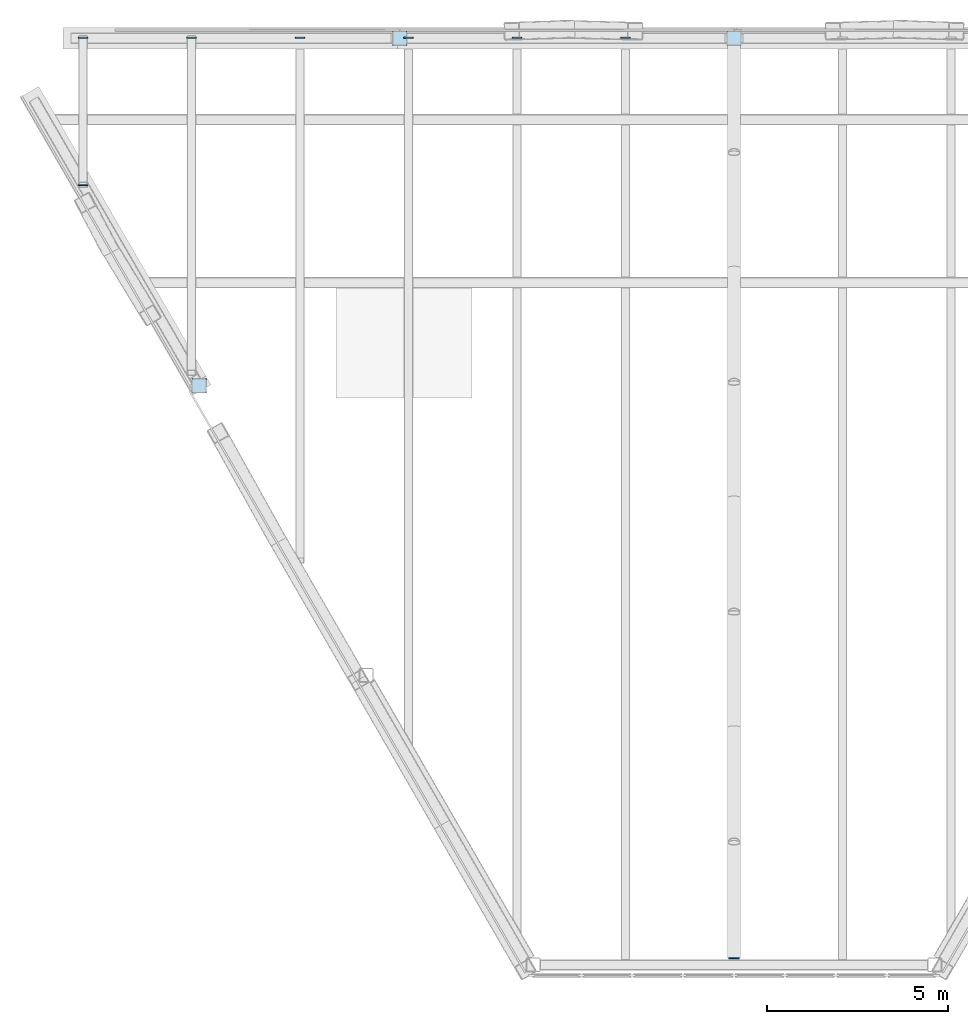
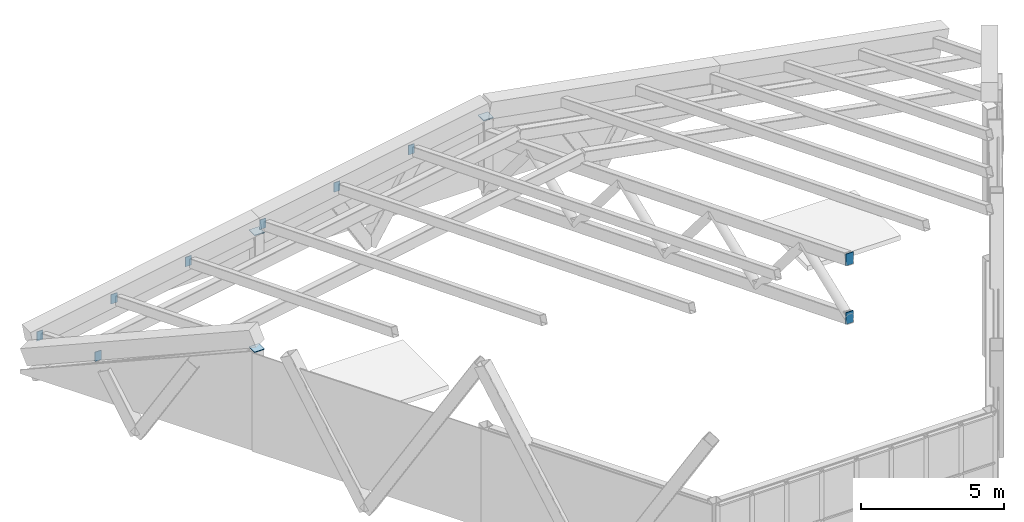
# One storey, part 4 of 6: 12 plates.
"""IFC4 building model written with IfcOpenShell, lengths in metres."""

from ifc_helpers import new_model, si_unit, direction, frame, origin, place, context, subcontext, project, spatial, polyline, outline, extrude, material, layer, layer_set, type_object, element, save


model = new_model("IFC4")

# Units and contexts
model_context = context("Model", 3, precision=1e-05, world=origin(), true_north=direction((0.0, 1.0)))
body_context = subcontext(model_context, "Body", "Model", "MODEL_VIEW")
ifc_project = project(units=[si_unit("LENGTHUNIT", "METRE"), si_unit("AREAUNIT", "SQUARE_METRE"), si_unit("VOLUMEUNIT", "CUBIC_METRE"), si_unit("PLANEANGLEUNIT", "RADIAN"), si_unit("MASSUNIT", "GRAM", prefix="KILO")], contexts=[model_context])

# Site, building, storey
site_placement = place(None, origin())
site = spatial("IfcSite", under=ifc_project, at=site_placement, CompositionType="ELEMENT")
building_placement = place(site_placement, origin())
building = spatial("IfcBuilding", under=site, at=building_placement, Name="Aloe Facet Convention Tower", CompositionType="ELEMENT")
storey_placement = place(building_placement, frame((0.0, 0.0, 293.89990234375)))
storey = spatial("IfcBuildingStorey", under=building, at=storey_placement, Name="C3", CompositionType="ELEMENT", Elevation=293.89990234375)

# Plates
ifc_material = material(Name="Steel S355", Category="steel")
ifc_layer = layer(ifc_material, 0.030029296875)
ifc_layer_set = layer_set([ifc_layer], Name="STW-CROWN END PLATE")
plate_type = type_object("IfcPlateType", Name="STW-CROWN END PLATE", PredefinedType="SHEET", material=ifc_layer_set)
plate_1_placement = place(storey_placement, frame((0.0, 0.0, 3.07958984375)))
element("IfcPlate", 1, at=plate_1_placement, inside=storey, type_object=plate_type, Name="End plate CF-EP-N3", PredefinedType="SHEET", context=body_context, shape_type="SweptSolid", body=[
    extrude(outline(polyline([(79.800048828125, 134.60009765625), (80.199951171875, 134.60009765625), (80.199951171875, 135.0), (79.800048828125, 135.0), (79.800048828125, 134.60009765625)])), origin(), (0.0, 0.0, 1.0), 0.030029296875),
])
plate_2_placement = place(storey_placement, frame((0.0, 0.0, 1.416015625)))
element("IfcPlate", 2, at=plate_2_placement, inside=storey, type_object=plate_type, Name="End plate CF-EP-N4", PredefinedType="SHEET", context=body_context, shape_type="SweptSolid", body=[
    extrude(outline(polyline([(70.556884765625, 134.60009765625), (70.95703125, 134.60009765625), (70.95703125, 135.0), (70.556884765625, 135.0), (70.556884765625, 134.60009765625)])), origin(), (0.0, 0.0, 1.0), 0.030029296875),
])
plate_3_placement = place(storey_placement, frame((0.0, 0.0, 4.2001953125)))
element("IfcPlate", 3, at=plate_3_placement, inside=storey, type_object=plate_type, Name="End plate CF-EP-WSW2", PredefinedType="SHEET", context=body_context, shape_type="SweptSolid", body=[
    extrude(outline(polyline([(65.008544921875, 124.989990234375), (65.40869140625, 124.989990234375), (65.40869140625, 125.389892578125), (65.008544921875, 125.389892578125), (65.008544921875, 124.989990234375)])), origin(), (0.0, 0.0, 1.0), 0.02978515625),
])
for number, where, z_axis, x_axis, name in (
    (4, (79.85009765625, 109.380615234375, 12.6953125), (0.0, 1.0, 0.0), (1.0, 0.0, 0.0), "End plate CF-EP-FT"),
    (5, (79.85009765625, 109.380615234375, 10.1953125), (0.0, 1.0, 0.0), (1.0, 0.0, 0.0), "End plate CF-EP-FB"),
):
    element("IfcPlate", number, at=place(storey_placement, frame(where, z_axis=z_axis, x_axis=x_axis)), inside=storey, type_object=plate_type, Name=name, PredefinedType="SHEET", context=body_context, shape_type="SweptSolid", body=[
        extrude(outline(polyline([(0.0, 0.0), (0.2998046875, 0.0), (0.2998046875, 0.5), (0.0, 0.5), (0.0, 0.0)])), origin(), (0.0, 0.0, -1.0), 0.030029296875),
    ])
for number, where, z_axis, x_axis, name in (
    (6, (76.875, 134.800048828125, 2.539794921875), (0.0, -1.0, 0.0), (1.0, 0.0, 0.0), "End plate CF-EP-W01N"),
    (7, (73.875, 134.800048828125, 1.999755859375), (0.0, -1.0, 0.0), (1.0, 0.0, 0.0), "End plate CF-EP-W03N"),
    (8, (70.875, 134.800048828125, 1.459716796875), (0.0, -1.0, 0.0), (1.0, 0.0, 0.0), "End plate CF-EP-W05N"),
    (9, (67.875, 134.800048828125, 0.919677734375), (0.0, -1.0, 0.0), (1.0, 0.0, 0.0), "End plate CF-EP-W07N"),
):
    element("IfcPlate", number, at=place(storey_placement, frame(where, z_axis=z_axis, x_axis=x_axis)), inside=storey, type_object=plate_type, Name=name, PredefinedType="SHEET", context=body_context, shape_type="SweptSolid", body=[
        extrude(outline(polyline([(0.0, 0.0), (0.25, 0.0), (0.25, 0.39990234375), (0.0, 0.39990234375), (0.0, 0.0)])), origin(), (0.0, 0.0, -1.0), 0.030029296875),
    ])
for number, where, z_axis, x_axis, name in (
    (10, (64.875, 134.800048828125, 0.379638671875), (0.0, -1.0, 0.0), (1.0, 0.0, 0.0), "End plate CF-EP-W09N"),
    (11, (61.875, 134.800048828125, -0.160400390625), (0.0, -1.0, 0.0), (1.0, 0.0, 0.0), "End plate CF-EP-W11N"),
):
    element("IfcPlate", number, at=place(storey_placement, frame(where, z_axis=z_axis, x_axis=x_axis)), inside=storey, type_object=plate_type, Name=name, PredefinedType="SHEET", context=body_context, shape_type="SweptSolid", body=[
        extrude(outline(polyline([(0.0, 0.0), (0.25, 0.0), (0.25, 0.400146484375), (0.0, 0.400146484375), (0.0, 0.0)])), origin(), (0.0, 0.0, -1.0), 0.030029296875),
    ])
plate_4_placement = place(storey_placement, frame((61.875, 130.74755859375, 1.852294921875), z_axis=(0.0, 1.0, 0.0), x_axis=(1.0, 0.0, 0.0)))
element("IfcPlate", 12, at=plate_4_placement, inside=storey, type_object=plate_type, Name="End plate CF-EP-W11S", PredefinedType="SHEET", context=body_context, shape_type="SweptSolid", body=[
    extrude(outline(polyline([(0.0, 0.0), (0.25, 0.0), (0.25, 0.39990234375), (0.0, 0.39990234375), (0.0, 0.0)])), origin(), (0.0, 0.0, -1.0), 0.030029296875),
])

save(model, "model.ifc")
